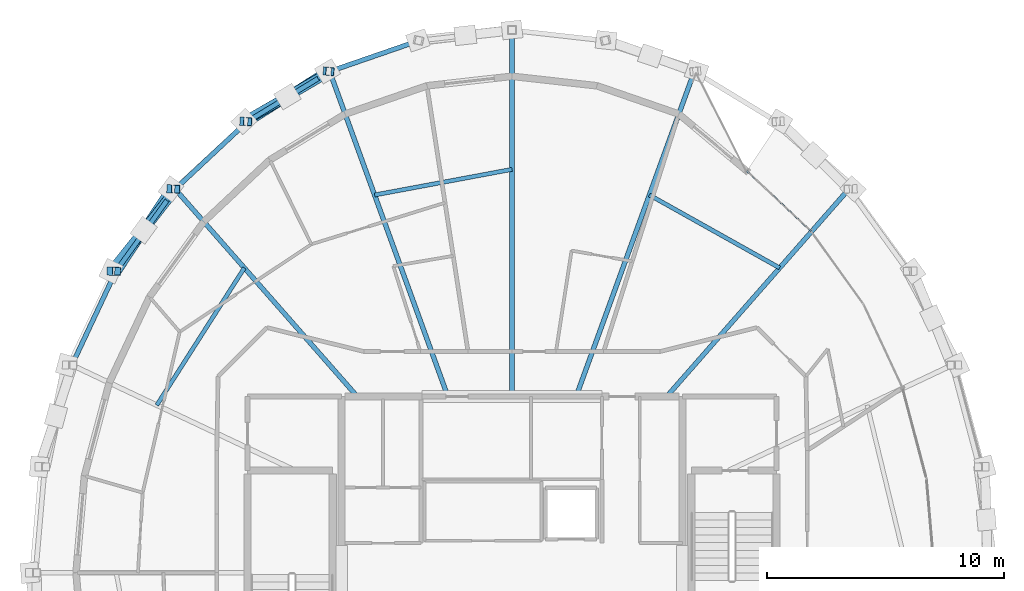
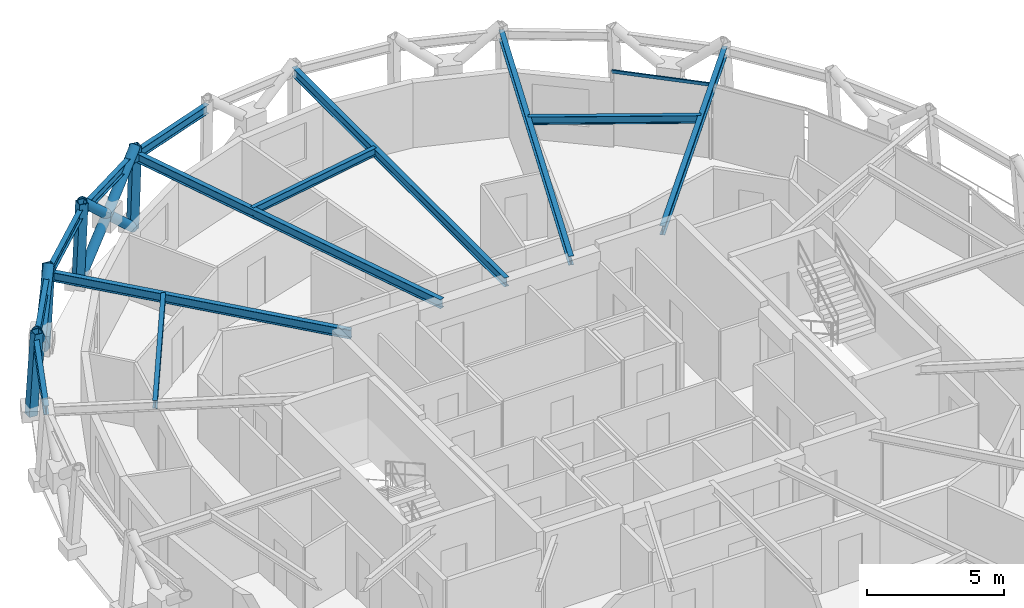
# One storey, part 6 of 16: 13 beams, 11 members, 1 element without a shape of its own.
"""IFC4 building model written with IfcOpenShell, lengths in metres."""

from ifc_helpers import new_model, si_unit, direction, frame, origin, origin_2d, place, context, subcontext, project, spatial, hollow_rectangle, hollow_circle, i_section, extrude, material, layer, layer_set, material_profile, profile_set, type_object, element, aggregate, save


model = new_model("IFC4")

# Units and contexts
model_context = context("Model", 3, precision=1e-05, world=origin(), true_north=direction((0.0, 1.0)))
body_context = subcontext(model_context, "Body", "Model", "MODEL_VIEW")
ifc_project = project(units=[si_unit("LENGTHUNIT", "METRE"), si_unit("AREAUNIT", "SQUARE_METRE"), si_unit("VOLUMEUNIT", "CUBIC_METRE"), si_unit("PLANEANGLEUNIT", "RADIAN"), si_unit("MASSUNIT", "GRAM", prefix="KILO")], contexts=[model_context])

# Site, building, storey
site_placement = place(None, origin())
site = spatial("IfcSite", under=ifc_project, at=site_placement, CompositionType="ELEMENT")
building_placement = place(site_placement, origin())
building = spatial("IfcBuilding", under=site, at=building_placement, Name="Veldorina Hangang Commons", CompositionType="ELEMENT")
storey_placement = place(building_placement, frame((0.0, 0.0, 283.199951171875)))
storey = spatial("IfcBuildingStorey", under=building, at=storey_placement, Name="L74", CompositionType="ELEMENT", Elevation=283.199951171875)

# Beams
ifc_material_1 = material(Name="Steel SM355-TMC", Category="steel")
ifc_material_profile_1 = material_profile(ifc_material_1, i_section(OverallWidth=0.199951171875, OverallDepth=0.39990234375, WebThickness=0.008056640625, FlangeThickness=0.012939453125, FilletRadius=0.012939453125, at=origin_2d()), Name="H-400x200x8x13")
ifc_profile_set_1 = profile_set([ifc_material_profile_1], Name="Steel SM355-TMC")
beam_type_1 = type_object("IfcBeamType", Name="BM-FG400", PredefinedType="BEAM", material=ifc_profile_set_1)
beam_1_placement = place(storey_placement, frame((38.54150390625, 31.449951171875, 3.16015625), z_axis=(0.659795122774, 0.75144553759, 0.0), x_axis=(-0.75144553759, 0.659795122774, 0.0)))
element("IfcBeam", 1, at=beam_1_placement, inside=storey, type_object=beam_type_1, Name="L74 radial floor girder 03", PredefinedType="BEAM", context=body_context, shape_type="SweptSolid", body=[
    extrude(i_section(OverallWidth=0.199951171875, OverallDepth=0.39990234375, WebThickness=0.008056640625, FlangeThickness=0.012939453125, FilletRadius=0.012939453125, at=origin_2d()), origin(), (0.0, 0.0, 1.0), 11.670166015625),
])
beam_2_placement = place(storey_placement, frame((34.709716796875, 31.449951171875, 3.16015625), z_axis=(0.341787301466, 0.939777335626, 0.0), x_axis=(-0.939777335626, 0.341787301466, 0.0)))
element("IfcBeam", 2, at=beam_2_placement, inside=storey, type_object=beam_type_1, Name="L74 radial floor girder 04", PredefinedType="BEAM", context=body_context, shape_type="SweptSolid", body=[
    extrude(i_section(OverallWidth=0.199951171875, OverallDepth=0.39990234375, WebThickness=0.008056640625, FlangeThickness=0.012939453125, FilletRadius=0.012939453125, at=origin_2d()), origin(), (0.0, 0.0, 1.0), 14.62255859375),
])
beam_3_placement = place(storey_placement, frame((32.0, 31.449951171875, 3.16015625), z_axis=(0.0, 1.0, 0.0), x_axis=(-1.0, 0.0, 0.0)))
element("IfcBeam", 3, at=beam_3_placement, inside=storey, type_object=beam_type_1, Name="L74 radial floor girder 05", PredefinedType="BEAM", context=body_context, shape_type="SweptSolid", body=[
    extrude(i_section(OverallWidth=0.199951171875, OverallDepth=0.39990234375, WebThickness=0.008056640625, FlangeThickness=0.012939453125, FilletRadius=0.012939453125, at=origin_2d()), origin(), (0.0, 0.0, 1.0), 15.488037109375),
])
beam_4_placement = place(storey_placement, frame((29.290283203125, 31.449951171875, 3.16015625), z_axis=(-0.341787301466, 0.939777335626, 0.0), x_axis=(-0.939777335626, -0.341787301466, 0.0)))
element("IfcBeam", 4, at=beam_4_placement, inside=storey, type_object=beam_type_1, Name="L74 radial floor girder 06", PredefinedType="BEAM", context=body_context, shape_type="SweptSolid", body=[
    extrude(i_section(OverallWidth=0.199951171875, OverallDepth=0.39990234375, WebThickness=0.008056640625, FlangeThickness=0.012939453125, FilletRadius=0.012939453125, at=origin_2d()), origin(), (0.0, 0.0, 1.0), 14.62255859375),
])
beam_5_placement = place(storey_placement, frame((25.45849609375, 31.449951171875, 3.16015625), z_axis=(-0.659795122774, 0.75144553759, 0.0), x_axis=(-0.75144553759, -0.659795122774, 0.0)))
element("IfcBeam", 5, at=beam_5_placement, inside=storey, type_object=beam_type_1, Name="L74 radial floor girder 07", PredefinedType="BEAM", context=body_context, shape_type="SweptSolid", body=[
    extrude(i_section(OverallWidth=0.199951171875, OverallDepth=0.39990234375, WebThickness=0.008056640625, FlangeThickness=0.012939453125, FilletRadius=0.012939453125, at=origin_2d()), origin(), (0.0, 0.0, 1.0), 11.670166015625),
])
ifc_material_profile_2 = material_profile(ifc_material_1, i_section(OverallWidth=0.175048828125, OverallDepth=0.35009765625, WebThickness=0.007080078125, FlangeThickness=0.010986328125, FilletRadius=0.012939453125, at=origin_2d()), Name="H-350x175x7x11")
ifc_profile_set_2 = profile_set([ifc_material_profile_2], Name="Steel SM355-TMC")
beam_type_2 = type_object("IfcBeamType", Name="BM-JST350", PredefinedType="JOIST", material=ifc_profile_set_2)
beam_6_placement = place(storey_placement, frame((43.3154296875, 36.88720703125, 3.18505859375), z_axis=(-0.872587140642, 0.488458475191, 0.0), x_axis=(-0.488458475191, -0.872587140642, 0.0)))
element("IfcBeam", 6, at=beam_6_placement, inside=storey, type_object=beam_type_2, Name="L74 secondary floor joist 03", PredefinedType="JOIST", context=body_context, shape_type="SweptSolid", body=[
    extrude(i_section(OverallWidth=0.175048828125, OverallDepth=0.35009765625, WebThickness=0.007080078125, FlangeThickness=0.010986328125, FilletRadius=0.012939453125, at=origin_2d()), origin(), (0.0, 0.0, 1.0), 6.311279296875),
])
beam_7_placement = place(storey_placement, frame((32.0, 41.052490234375, 3.18505859375), z_axis=(-0.983072284803, -0.183218129159, 0.0), x_axis=(0.183218129159, -0.983072284803, 0.0)))
element("IfcBeam", 7, at=beam_7_placement, inside=storey, type_object=beam_type_2, Name="L74 secondary floor joist 05", PredefinedType="JOIST", context=body_context, shape_type="SweptSolid", body=[
    extrude(i_section(OverallWidth=0.175048828125, OverallDepth=0.35009765625, WebThickness=0.007080078125, FlangeThickness=0.010986328125, FilletRadius=0.012939453125, at=origin_2d()), origin(), (0.0, 0.0, 1.0), 5.908447265625),
])
beam_8_placement = place(storey_placement, frame((20.6845703125, 36.88720703125, 3.18505859375), z_axis=(-0.537699197889, -0.84313674608, 0.0), x_axis=(0.84313674608, -0.537699197889, 0.0)))
element("IfcBeam", 8, at=beam_8_placement, inside=storey, type_object=beam_type_2, Name="L74 secondary floor joist 07", PredefinedType="JOIST", context=body_context, shape_type="SweptSolid", body=[
    extrude(i_section(OverallWidth=0.175048828125, OverallDepth=0.35009765625, WebThickness=0.007080078125, FlangeThickness=0.010986328125, FilletRadius=0.012939453125, at=origin_2d()), origin(), (0.0, 0.0, 1.0), 6.8828125),
])
ifc_material_profile_3 = material_profile(ifc_material_1, i_section(OverallWidth=0.199951171875, OverallDepth=0.39990234375, WebThickness=0.008056640625, FlangeThickness=0.012939453125, FilletRadius=0.012939453125, at=origin_2d()), Name="H-400x200x8x13")
ifc_profile_set_3 = profile_set([ifc_material_profile_3], Name="Steel SM355-TMC")
beam_type_3 = type_object("IfcBeamType", Name="BM-RB400", PredefinedType="BEAM", material=ifc_profile_set_3)
beam_9_placement = place(storey_placement, frame((28.07080078125, 46.497314453125, 3.16015625), z_axis=(-0.94517615368, -0.326560926191, 0.0), x_axis=(0.326560926191, -0.94517615368, 0.0)))
element("IfcBeam", 9, at=beam_9_placement, inside=storey, type_object=beam_type_3, Name="L74 perimeter hoop ring beam 09", PredefinedType="BEAM", context=body_context, shape_type="SweptSolid", body=[
    extrude(i_section(OverallWidth=0.199951171875, OverallDepth=0.39990234375, WebThickness=0.008056640625, FlangeThickness=0.012939453125, FilletRadius=0.012939453125, at=origin_2d()), origin(), (0.0, 0.0, 1.0), 3.99755859375),
])
beam_10_placement = place(storey_placement, frame((24.29248046875, 45.19189453125, 3.16015625), z_axis=(-0.854151135706, -0.520024843033, 0.0), x_axis=(0.520024843033, -0.854151135706, 0.0)))
element("IfcBeam", 10, at=beam_10_placement, inside=storey, type_object=beam_type_3, Name="L74 perimeter hoop ring beam 10", PredefinedType="BEAM", context=body_context, shape_type="SweptSolid", body=[
    extrude(i_section(OverallWidth=0.199951171875, OverallDepth=0.39990234375, WebThickness=0.008056640625, FlangeThickness=0.012939453125, FilletRadius=0.012939453125, at=origin_2d()), origin(), (0.0, 0.0, 1.0), 4.076416015625),
])
beam_11_placement = place(storey_placement, frame((20.810546875, 43.072021484375, 3.16015625), z_axis=(-0.730577006901, -0.682830313466, 0.0), x_axis=(0.682830313466, -0.730577006901, 0.0)))
element("IfcBeam", 11, at=beam_11_placement, inside=storey, type_object=beam_type_3, Name="L74 perimeter hoop ring beam 11", PredefinedType="BEAM", context=body_context, shape_type="SweptSolid", body=[
    extrude(i_section(OverallWidth=0.199951171875, OverallDepth=0.39990234375, WebThickness=0.008056640625, FlangeThickness=0.012939453125, FilletRadius=0.012939453125, at=origin_2d()), origin(), (0.0, 0.0, 1.0), 4.177490234375),
])
beam_12_placement = place(storey_placement, frame((17.758544921875, 40.219482421875, 3.16015625), z_axis=(-0.584618434939, -0.811308378811, 0.0), x_axis=(0.811308378811, -0.584618434939, 0.0)))
element("IfcBeam", 12, at=beam_12_placement, inside=storey, type_object=beam_type_3, Name="L74 perimeter hoop ring beam 12", PredefinedType="BEAM", context=body_context, shape_type="SweptSolid", body=[
    extrude(i_section(OverallWidth=0.199951171875, OverallDepth=0.39990234375, WebThickness=0.008056640625, FlangeThickness=0.012939453125, FilletRadius=0.012939453125, at=origin_2d()), origin(), (0.0, 0.0, 1.0), 4.2841796875),
])
beam_13_placement = place(storey_placement, frame((15.25390625, 36.74365234375, 3.16015625), z_axis=(-0.424895020661, -0.905242631242, 0.0), x_axis=(0.905242631242, -0.424895020661, 0.0)))
element("IfcBeam", 13, at=beam_13_placement, inside=storey, type_object=beam_type_3, Name="L74 perimeter hoop ring beam 13", PredefinedType="BEAM", context=body_context, shape_type="SweptSolid", body=[
    extrude(i_section(OverallWidth=0.199951171875, OverallDepth=0.39990234375, WebThickness=0.008056640625, FlangeThickness=0.012939453125, FilletRadius=0.012939453125, at=origin_2d()), origin(), (0.0, 0.0, 1.0), 4.380615234375),
])

# Curtain wall, member
ifc_material_2 = material(Name="Glass Low-E Selective", Category="glass")
ifc_layer = layer(ifc_material_2, 0.179931640625)
ifc_layer_set = layer_set([ifc_layer], Name="Glass Low-E Selective")
curtain_wall_type = type_object("IfcCurtainWallType", Name="CW-SYS-Z3", PredefinedType="NOTDEFINED", material=ifc_layer_set)
curtain_wall_placement = place(storey_placement, origin())
curtain_wall = element("IfcCurtainWall", 14, at=curtain_wall_placement, inside=storey, type_object=curtain_wall_type, Name="L74 unitised curtain wall CW-L74-R1", PredefinedType="NOTDEFINED")
ifc_material_3 = material(Name="Aluminium Anodized AA6063-T6", Category="aluminium")
ifc_material_profile_4 = material_profile(ifc_material_3, hollow_rectangle(XDim=0.06005859375, YDim=0.139892578125, WallThickness=0.00341796875, at=origin_2d()), Name="ALU-RHS-140x60x3.5")
ifc_profile_set_4 = profile_set([ifc_material_profile_4], Name="Aluminium Anodized AA6063-T6")
member_type_1 = type_object("IfcMemberType", Name="CW-TRN-140", PredefinedType="USERDEFINED", material=ifc_profile_set_4)
member_1_placement = place(storey_placement, frame((44.6357421875, 38.445068359375, 3.280029296875), z_axis=(-0.729268530409, 0.684227601428, 0.0), x_axis=(-0.684227601428, -0.729268530409, 0.0)))
member_1 = element("IfcMember", 15, at=member_1_placement, type_object=member_type_1, Name="CW-L74-R1 facet 5 transom 1", ObjectType="TRANSOM", PredefinedType="USERDEFINED", context=body_context, shape_type="SweptSolid", body=[
    extrude(hollow_rectangle(XDim=0.06005859375, YDim=0.139892578125, WallThickness=0.00341796875, at=origin_2d()), origin(), (0.0, 0.0, 1.0), 3.712890625),
])
aggregate(curtain_wall, [member_1])

# Members
ifc_material_profile_5 = material_profile(ifc_material_1, hollow_circle(Radius=0.199951171875, WallThickness=0.02001953125, at=origin_2d()), Name="CHS-400x20")
ifc_profile_set_5 = profile_set([ifc_material_profile_5], Name="Steel SM355-TMC")
member_type_2 = type_object("IfcMemberType", Name="DG-CHS400", PredefinedType="BRACE", material=ifc_profile_set_5)
member_2_placement = place(storey_placement, frame((24.197265625, 45.20166015625, 0.0), z_axis=(-0.627039182671, -0.396780829867, 0.67036321233), x_axis=(0.53472117984, -0.84502855563, 0.0)))
element("IfcMember", 16, at=member_2_placement, inside=storey, type_object=member_type_2, Name="L74 continuous perimeter diagrid brace 10", PredefinedType="BRACE", context=body_context, shape_type="SweptSolid", body=[
    extrude(hollow_circle(Radius=0.199951171875, WallThickness=0.02001953125, at=origin_2d()), origin(), (0.0, 0.0, 1.0), 5.370361328125),
])
member_3_placement = place(storey_placement, frame((20.672119140625, 43.0810546875, 0.0), z_axis=(0.6590176559, 0.377396683457, 0.650590095627), x_axis=(-0.49694789602, 0.86778038042, 0.0)))
element("IfcMember", 17, at=member_3_placement, inside=storey, type_object=member_type_2, Name="L74 split perimeter diagrid lower brace 11", PredefinedType="BRACE", context=body_context, shape_type="SweptSolid", body=[
    extrude(hollow_circle(Radius=0.199951171875, WallThickness=0.02001953125, at=origin_2d()), origin(), (0.0, 0.0, 1.0), 2.781005859375),
])
member_4_placement = place(storey_placement, frame((22.5048828125, 44.130615234375, 1.809326171875), z_axis=(0.654431234372, 0.385100445765, 0.650705314371), x_axis=(-0.507157973185, 0.861853114072, 0.0)))
element("IfcMember", 18, at=member_4_placement, inside=storey, type_object=member_type_2, Name="L74 split perimeter diagrid upper brace 11", PredefinedType="BRACE", context=body_context, shape_type="SweptSolid", body=[
    extrude(hollow_circle(Radius=0.199951171875, WallThickness=0.02001953125, at=origin_2d()), origin(), (0.0, 0.0, 1.0), 2.751953125),
])
member_5_placement = place(storey_placement, frame((17.582275390625, 40.22705078125, 0.0), z_axis=(-0.417152512972, -0.632039867569, 0.653076861269), x_axis=(0.834605642405, -0.550847911556, 0.0)))
element("IfcMember", 19, at=member_5_placement, inside=storey, type_object=member_type_2, Name="L74 continuous perimeter diagrid brace 12", PredefinedType="BRACE", context=body_context, shape_type="SweptSolid", body=[
    extrude(hollow_circle(Radius=0.199951171875, WallThickness=0.02001953125, at=origin_2d()), origin(), (0.0, 0.0, 1.0), 5.512451171875),
])
member_6_placement = place(storey_placement, frame((15.046630859375, 36.74951171875, 0.0), z_axis=(0.483924673438, 0.60576022858, 0.631562709403), x_axis=(-0.781298662557, 0.624157351865, 0.0)))
element("IfcMember", 20, at=member_6_placement, inside=storey, type_object=member_type_2, Name="L74 split perimeter diagrid lower brace 13", PredefinedType="BRACE", context=body_context, shape_type="SweptSolid", body=[
    extrude(hollow_circle(Radius=0.199951171875, WallThickness=0.02001953125, at=origin_2d()), origin(), (0.0, 0.0, 1.0), 2.857421875),
])
member_7_placement = place(storey_placement, frame((16.429443359375, 38.48046875, 1.8046875), z_axis=(0.476274927809, 0.611580305027, 0.63176872639), x_axis=(-0.78897611071, 0.614423873827, 0.0)))
element("IfcMember", 21, at=member_7_placement, inside=storey, type_object=member_type_2, Name="L74 split perimeter diagrid upper brace 13", PredefinedType="BRACE", context=body_context, shape_type="SweptSolid", body=[
    extrude(hollow_circle(Radius=0.199951171875, WallThickness=0.02001953125, at=origin_2d()), origin(), (0.0, 0.0, 1.0), 2.841796875),
])
ifc_material_profile_6 = material_profile(ifc_material_1, hollow_rectangle(XDim=0.35009765625, YDim=0.35009765625, WallThickness=0.01611328125, at=origin_2d()), Name="SHS-350x350x16")
ifc_profile_set_6 = profile_set([ifc_material_profile_6], Name="Steel SM355-TMC")
member_type_3 = type_object("IfcMemberType", Name="STR-SHS350", PredefinedType="STRUT", material=ifc_profile_set_6)
member_8_placement = place(storey_placement, frame((24.197265625, 45.20166015625, 0.0), z_axis=(0.030163796764, -0.003118055396, 0.999540105796), x_axis=(0.102822888283, 0.994699680127, 0.0)))
element("IfcMember", 22, at=member_8_placement, inside=storey, type_object=member_type_3, Name="L74 perimeter ring node post 10", PredefinedType="STRUT", context=body_context, shape_type="SweptSolid", body=[
    extrude(hollow_rectangle(XDim=0.35009765625, YDim=0.35009765625, WallThickness=0.01611328125, at=origin_2d()), origin(), (0.0, 0.0, 1.0), 3.601806640625),
])
member_9_placement = place(storey_placement, frame((20.672119140625, 43.0810546875, 0.0), z_axis=(0.043766335393, -0.002845489298, 0.999037742569), x_axis=(0.064878503348, 0.997893170536, 0.0)))
element("IfcMember", 23, at=member_9_placement, inside=storey, type_object=member_type_3, Name="L74 perimeter ring node post 11", PredefinedType="STRUT", context=body_context, shape_type="SweptSolid", body=[
    extrude(hollow_rectangle(XDim=0.35009765625, YDim=0.35009765625, WallThickness=0.01611328125, at=origin_2d()), origin(), (0.0, 0.0, 1.0), 3.603515625),
])
member_10_placement = place(storey_placement, frame((17.582275390625, 40.22705078125, 0.0), z_axis=(0.055657366642, -0.002369839212, 0.998447114974), x_axis=(0.042540530373, 0.999094741892, 0.0)))
element("IfcMember", 24, at=member_10_placement, inside=storey, type_object=member_type_3, Name="L74 perimeter ring node post 12", PredefinedType="STRUT", context=body_context, shape_type="SweptSolid", body=[
    extrude(hollow_rectangle(XDim=0.35009765625, YDim=0.35009765625, WallThickness=0.01611328125, at=origin_2d()), origin(), (0.0, 0.0, 1.0), 3.605712890625),
])
member_11_placement = place(storey_placement, frame((15.046630859375, 36.74951171875, 0.0), z_axis=(0.065436447107, -0.001827077634, 0.997855066218), x_axis=(0.027910528938, 0.999610425303, 0.0)))
element("IfcMember", 25, at=member_11_placement, inside=storey, type_object=member_type_3, Name="L74 perimeter ring node post 13", PredefinedType="STRUT", context=body_context, shape_type="SweptSolid", body=[
    extrude(hollow_rectangle(XDim=0.35009765625, YDim=0.35009765625, WallThickness=0.01611328125, at=origin_2d()), origin(), (0.0, 0.0, 1.0), 3.60791015625),
])

save(model, "model.ifc")
